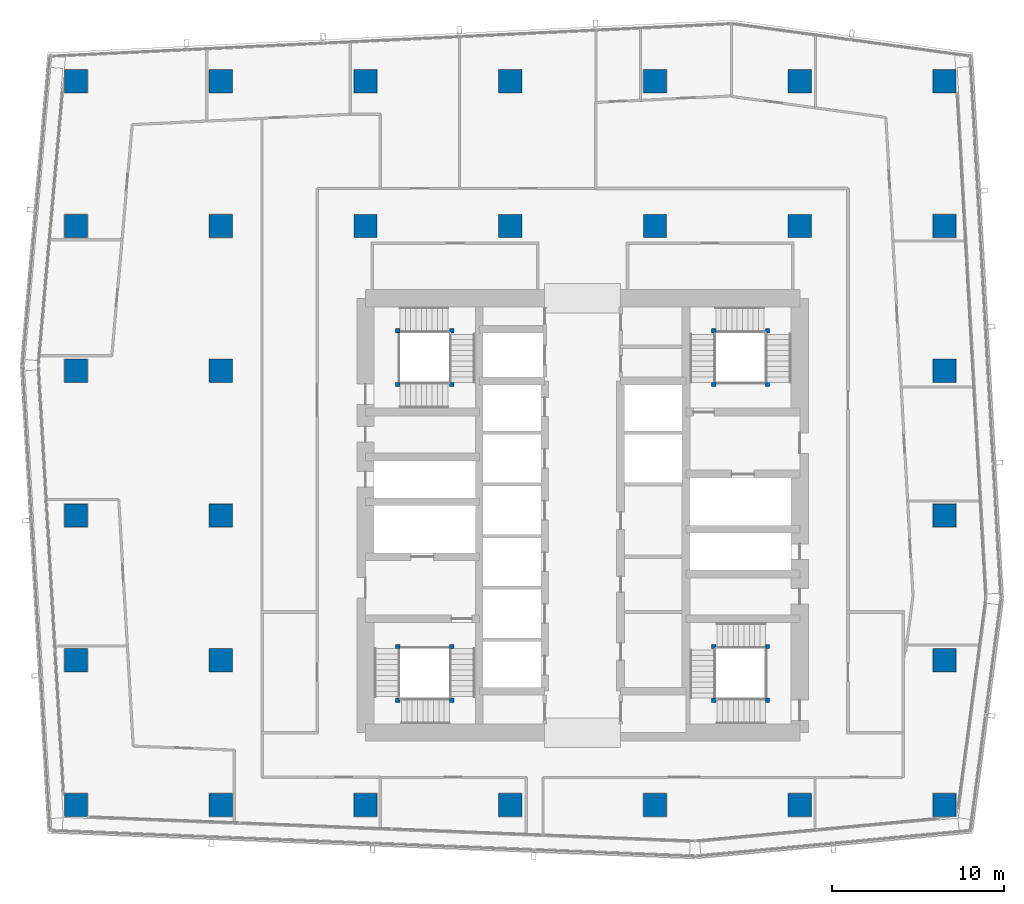
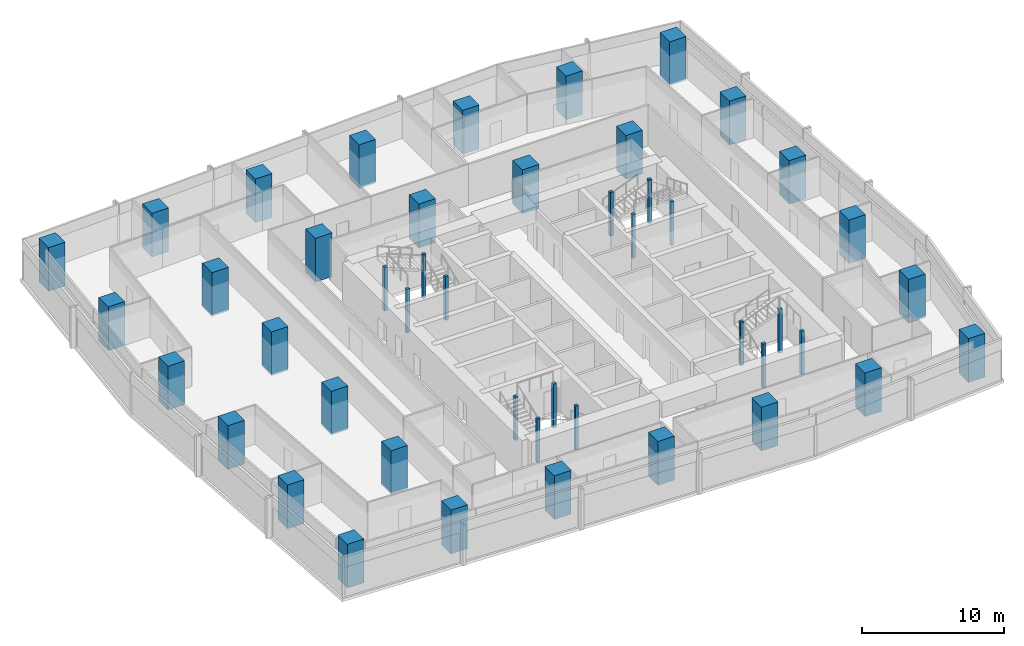
# One storey, part 1 of 38: 46 columns.
"""IFC4 building model written with IfcOpenShell, lengths in metres."""

from ifc_helpers import new_model, si_unit, direction, frame, origin, origin_2d, place, context, subcontext, project, spatial, rectangle, extrude, material, material_profile, profile_set, type_object, element, save


model = new_model("IFC4")

# Units and contexts
model_context = context("Model", 3, precision=1e-05, world=origin(), true_north=direction((0.0, 1.0)))
body_context = subcontext(model_context, "Body", "Model", "MODEL_VIEW")
ifc_project = project(units=[si_unit("LENGTHUNIT", "METRE"), si_unit("AREAUNIT", "SQUARE_METRE"), si_unit("VOLUMEUNIT", "CUBIC_METRE"), si_unit("PLANEANGLEUNIT", "RADIAN"), si_unit("MASSUNIT", "GRAM", prefix="KILO")], contexts=[model_context])

# Site, building, storey
site_placement = place(None, origin())
site = spatial("IfcSite", under=ifc_project, at=site_placement, CompositionType="ELEMENT")
building_placement = place(site_placement, origin())
building = spatial("IfcBuilding", under=site, at=building_placement, Name="Rekha Terrace Tower", CompositionType="ELEMENT")
storey_placement = place(building_placement, frame((0.0, 0.0, 198.949951171875)))
storey = spatial("IfcBuildingStorey", under=building, at=storey_placement, Name="L50", CompositionType="ELEMENT", Elevation=198.949951171875)

# Columns
ifc_material_1 = material(Name="Concrete M70", Category="concrete")
ifc_material_profile_1 = material_profile(ifc_material_1, rectangle(XDim=1.35009765625, YDim=1.35009765625, at=origin_2d()), Name="RC 1350x1350")
ifc_profile_set_1 = profile_set([ifc_material_profile_1], Name="Concrete M70")
column_type_1 = type_object("IfcColumnType", Name="C4 1350x1350 column", PredefinedType="COLUMN", material=ifc_profile_set_1)
for number, where, z_axis, x_axis, name in (
    (1, (8.39990234375, 16.800048828125, 0.0), (0.0, 0.0, 1.0), (1.0, 0.0, 0.0), "Column C4 2/C L50"),
    (2, (8.39990234375, 25.199951171875, 0.0), (0.0, 0.0, 1.0), (1.0, 0.0, 0.0), "Column C4 2/D L50"),
    (3, (8.39990234375, 33.60009765625, 0.0), (0.0, 0.0, 1.0), (1.0, 0.0, 0.0), "Column C4 2/E L50"),
    (4, (8.39990234375, 42.0, 0.0), (0.0, 0.0, 1.0), (1.0, 0.0, 0.0), "Column C4 2/F L50"),
    (5, (8.39990234375, 50.39990234375, 0.0), (0.0, 0.0, 1.0), (1.0, 0.0, 0.0), "Column C4 2/G L50"),
    (6, (8.39990234375, 58.800048828125, 0.0), (0.0, 0.0, 1.0), (1.0, 0.0, 0.0), "Column C4 2/H L50"),
    (7, (16.800048828125, 16.800048828125, 0.0), (0.0, 0.0, 1.0), (1.0, 0.0, 0.0), "Column C4 3/C L50"),
    (8, (16.800048828125, 25.199951171875, 0.0), (0.0, 0.0, 1.0), (1.0, 0.0, 0.0), "Column C4 3/D L50"),
    (9, (16.800048828125, 33.60009765625, 0.0), (0.0, 0.0, 1.0), (1.0, 0.0, 0.0), "Column C4 3/E L50"),
    (10, (16.800048828125, 42.0, 0.0), (0.0, 0.0, 1.0), (1.0, 0.0, 0.0), "Column C4 3/F L50"),
    (11, (16.800048828125, 50.39990234375, 0.0), (0.0, 0.0, 1.0), (1.0, 0.0, 0.0), "Column C4 3/G L50"),
    (12, (16.800048828125, 58.800048828125, 0.0), (0.0, 0.0, 1.0), (1.0, 0.0, 0.0), "Column C4 3/H L50"),
    (13, (25.199951171875, 16.800048828125, 0.0), (0.0, 0.0, 1.0), (1.0, 0.0, 0.0), "Column C4 4/C L50"),
    (14, (25.199951171875, 50.39990234375, 0.0), (0.0, 0.0, 1.0), (1.0, 0.0, 0.0), "Column C4 4/G L50"),
    (15, (25.199951171875, 58.800048828125, 0.0), (0.0, 0.0, 1.0), (1.0, 0.0, 0.0), "Column C4 4/H L50"),
    (16, (33.60009765625, 16.800048828125, 0.0), (0.0, 0.0, 1.0), (1.0, 0.0, 0.0), "Column C4 5/C L50"),
    (17, (33.60009765625, 50.39990234375, 0.0), (0.0, 0.0, 1.0), (1.0, 0.0, 0.0), "Column C4 5/G L50"),
    (18, (33.60009765625, 58.800048828125, 0.0), (0.0, 0.0, 1.0), (1.0, 0.0, 0.0), "Column C4 5/H L50"),
    (19, (42.0, 16.800048828125, 0.0), (0.0, 0.0, 1.0), (1.0, 0.0, 0.0), "Column C4 6/C L50"),
    (20, (42.0, 50.39990234375, 0.0), (0.0, 0.0, 1.0), (1.0, 0.0, 0.0), "Column C4 6/G L50"),
    (21, (42.0, 58.800048828125, 0.0), (0.0, 0.0, 1.0), (1.0, 0.0, 0.0), "Column C4 6/H L50"),
    (22, (50.39990234375, 16.800048828125, 0.0), (0.0, 0.0, 1.0), (1.0, 0.0, 0.0), "Column C4 7/C L50"),
    (23, (50.39990234375, 50.39990234375, 0.0), (0.0, 0.0, 1.0), (1.0, 0.0, 0.0), "Column C4 7/G L50"),
    (24, (50.39990234375, 58.800048828125, 0.0), (0.0, 0.0, 1.0), (1.0, 0.0, 0.0), "Column C4 7/H L50"),
    (25, (58.800048828125, 16.800048828125, 0.0), (0.0, 0.0, 1.0), (1.0, 0.0, 0.0), "Column C4 8/C L50"),
    (26, (58.800048828125, 25.199951171875, 0.0), (0.0, 0.0, 1.0), (1.0, 0.0, 0.0), "Column C4 8/D L50"),
    (27, (58.800048828125, 33.60009765625, 0.0), (0.0, 0.0, 1.0), (1.0, 0.0, 0.0), "Column C4 8/E L50"),
    (28, (58.800048828125, 42.0, 0.0), (0.0, 0.0, 1.0), (1.0, 0.0, 0.0), "Column C4 8/F L50"),
    (29, (58.800048828125, 50.39990234375, 0.0), (0.0, 0.0, 1.0), (1.0, 0.0, 0.0), "Column C4 8/G L50"),
    (30, (58.800048828125, 58.800048828125, 0.0), (0.0, 0.0, 1.0), (1.0, 0.0, 0.0), "Column C4 8/H L50"),
):
    element("IfcColumn", number, at=place(storey_placement, frame(where, z_axis=z_axis, x_axis=x_axis)), inside=storey, type_object=column_type_1, Name=name, PredefinedType="COLUMN", context=body_context, shape_type="SweptSolid", body=[
        extrude(rectangle(XDim=1.35009765625, YDim=1.35009765625, at=origin_2d()), origin(), (0.0, 0.0, 1.0), 3.75),
    ])
ifc_material_2 = material(Name="Concrete M60", Category="concrete")
ifc_material_profile_2 = material_profile(ifc_material_2, rectangle(XDim=0.25, YDim=0.25, at=origin_2d()), Name="RC 250x250")
ifc_profile_set_2 = profile_set([ifc_material_profile_2], Name="Concrete M60")
column_type_2 = type_object("IfcColumnType", Name="NP1 250x250 stair newel post", PredefinedType="COLUMN", material=ifc_profile_set_2)
for number, where, z_axis, x_axis, name in (
    (31, (30.199951171875, 26.0, 0.0), (0.0, 0.0, 1.0), (1.0, 0.0, 0.0), "Stair newel post NP1"),
    (32, (30.199951171875, 22.875, 0.0), (0.0, 0.0, 1.0), (1.0, 0.0, 0.0), "Stair newel post NP1"),
    (33, (27.074951171875, 22.875, 0.0), (0.0, 0.0, 1.0), (1.0, 0.0, 0.0), "Stair newel post NP1"),
    (34, (27.074951171875, 26.0, 0.0), (0.0, 0.0, 1.0), (1.0, 0.0, 0.0), "Stair newel post NP1"),
    (35, (45.39990234375, 41.199951171875, 0.0), (0.0, 0.0, 1.0), (1.0, 0.0, 0.0), "Stair newel post NP1"),
    (36, (45.39990234375, 44.324951171875, 0.0), (0.0, 0.0, 1.0), (1.0, 0.0, 0.0), "Stair newel post NP1"),
    (37, (48.52490234375, 44.324951171875, 0.0), (0.0, 0.0, 1.0), (1.0, 0.0, 0.0), "Stair newel post NP1"),
    (38, (48.52490234375, 41.199951171875, 0.0), (0.0, 0.0, 1.0), (1.0, 0.0, 0.0), "Stair newel post NP1"),
    (39, (48.52490234375, 22.875, 0.0), (0.0, 0.0, 1.0), (1.0, 0.0, 0.0), "Stair newel post NP1"),
    (40, (45.39990234375, 22.875, 0.0), (0.0, 0.0, 1.0), (1.0, 0.0, 0.0), "Stair newel post NP1"),
    (41, (45.39990234375, 26.0, 0.0), (0.0, 0.0, 1.0), (1.0, 0.0, 0.0), "Stair newel post NP1"),
    (42, (48.52490234375, 26.0, 0.0), (0.0, 0.0, 1.0), (1.0, 0.0, 0.0), "Stair newel post NP1"),
    (43, (27.074951171875, 41.199951171875, 0.0), (0.0, 0.0, 1.0), (1.0, 0.0, 0.0), "Stair newel post NP1"),
    (44, (30.199951171875, 41.199951171875, 0.0), (0.0, 0.0, 1.0), (1.0, 0.0, 0.0), "Stair newel post NP1"),
    (45, (30.199951171875, 44.324951171875, 0.0), (0.0, 0.0, 1.0), (1.0, 0.0, 0.0), "Stair newel post NP1"),
    (46, (27.074951171875, 44.324951171875, 0.0), (0.0, 0.0, 1.0), (1.0, 0.0, 0.0), "Stair newel post NP1"),
):
    element("IfcColumn", number, at=place(storey_placement, frame(where, z_axis=z_axis, x_axis=x_axis)), inside=storey, type_object=column_type_2, Name=name, PredefinedType="COLUMN", context=body_context, shape_type="SweptSolid", body=[
        extrude(rectangle(XDim=0.25, YDim=0.25, at=origin_2d()), origin(), (0.0, 0.0, 1.0), 3.75),
    ])

save(model, "model.ifc")
